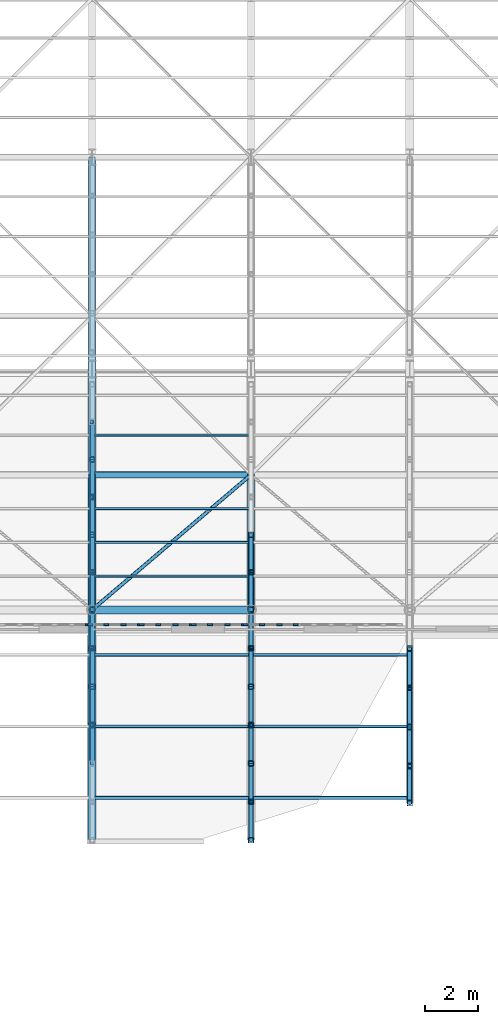
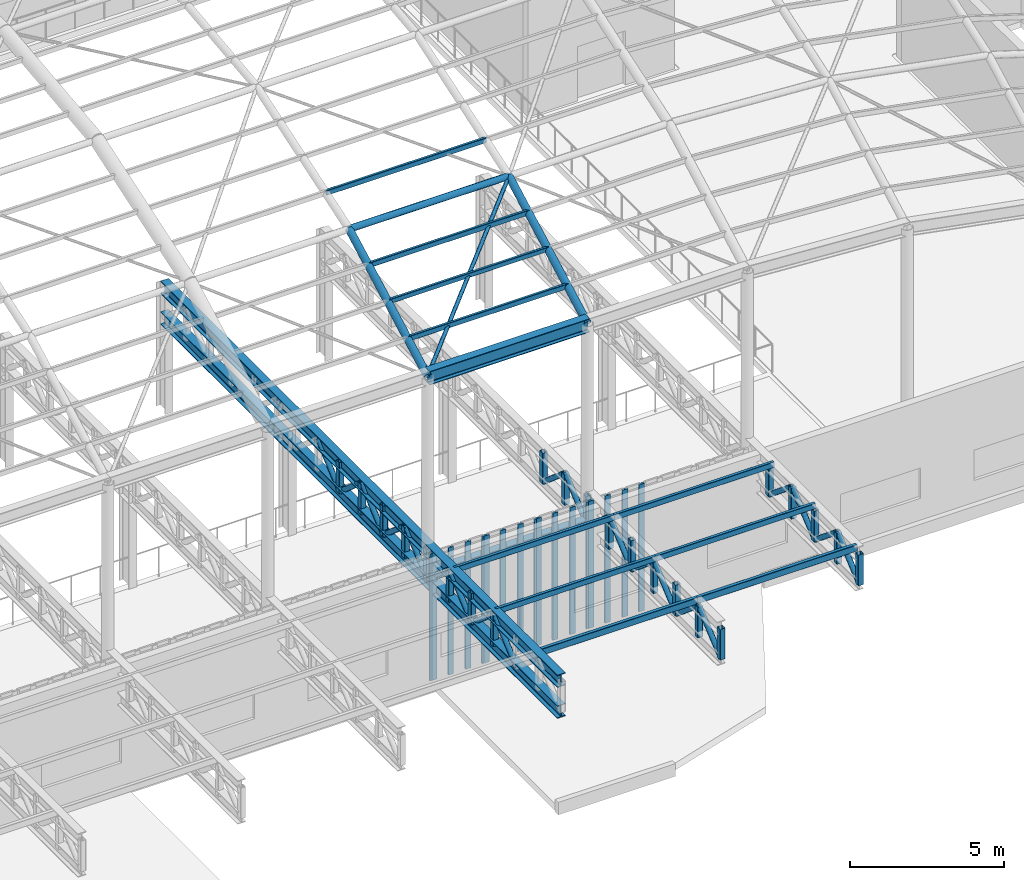
# One storey, part 26 of 75: 76 members, 2 beams, 5 elements without a shape of their own.
"""IFC4 building model written with IfcOpenShell, lengths in metres."""

import ifcopenshell
import ifcopenshell.guid

model = None  # the IFC model being written
_history = None  # IfcOwnerHistory: only IFC2X3 demands one
_inside = {}  # id of a spatial element -> (the spatial element, [elements in it])
_under = {}  # id of a project, library or spatial element -> (it, [spatial elements below it])
_declared = {}  # id of a project -> (the project, [libraries it declares])
_typed = {}  # id of a type object -> (the type object, [elements of that type])
_made_of = {}  # id of a material, layer set ... -> (it, [elements and type objects made of it])


def new_model(schema):
    """Start an empty IFC model of exactly this schema.

    Asked for "IFC4X3", IfcOpenShell would pick the latest addendum, in which some entities
    have other attributes; the version numbers below select the first issue.
    IFC2X3 requires an IfcOwnerHistory on every rooted entity: one is made here for all.
    """
    global model, _history
    if schema == "IFC4X3":
        model = ifcopenshell.file(schema_version=(4, 3, 0, 0))
    else:
        model = ifcopenshell.file(schema=schema)
    _inside.clear()
    _under.clear()
    _declared.clear()
    _typed.clear()
    _made_of.clear()
    _history = None
    if model.schema == "IFC2X3":
        org = make("IfcOrganization", Name="unknown")
        user = make(
            "IfcPersonAndOrganization",
            ThePerson=make("IfcPerson", FamilyName="unknown"),
            TheOrganization=org,
        )
        app = make(
            "IfcApplication",
            ApplicationDeveloper=org,
            Version="unknown",
            ApplicationFullName="unknown",
            ApplicationIdentifier="unknown",
        )
        _history = make(
            "IfcOwnerHistory",
            OwningUser=user,
            OwningApplication=app,
            ChangeAction="ADDED",
            CreationDate=0,
        )
    return model


def make(cls, **values):
    """One entity of the class cls with the attributes given. An attribute that is None is left unset."""
    return model.create_entity(
        cls, **{name: value for name, value in values.items() if value is not None}
    )


def rooted(cls, **values):
    """An entity with a GlobalId (a new one), such as an element, a storey or a relation."""
    return make(cls, GlobalId=ifcopenshell.guid.new(), OwnerHistory=_history, **values)


def si_unit(unit_type, name, prefix=None):
    """IfcSIUnit, for example si_unit("LENGTHUNIT", "METRE", prefix="MILLI")."""
    return make("IfcSIUnit", UnitType=unit_type, Prefix=prefix, Name=name)


def assignment(units):
    """IfcUnitAssignment: the units of a project."""
    return None if units is None else make("IfcUnitAssignment", Units=units)


def point(xyz):
    """IfcCartesianPoint."""
    return None if xyz is None else make("IfcCartesianPoint", Coordinates=xyz)


def direction(xyz):
    """IfcDirection."""
    return None if xyz is None else make("IfcDirection", DirectionRatios=xyz)


def frame(location, z_axis=None, x_axis=None):
    """IfcAxis2Placement3D, a coordinate frame: its origin and axes. An axis left out is left unset."""
    return make(
        "IfcAxis2Placement3D",
        Location=point(location),
        Axis=direction(z_axis),
        RefDirection=direction(x_axis),
    )


def frame_2d(location, x_axis=None):
    """IfcAxis2Placement2D, a coordinate frame in the plane: its origin and x axis."""
    return make(
        "IfcAxis2Placement2D", Location=point(location), RefDirection=direction(x_axis)
    )


def origin():
    """The frame at (0, 0, 0) with its axes left unset."""
    return frame((0.0, 0.0, 0.0))


def origin_2d():
    """The frame at (0, 0) in the plane with its x axis left unset."""
    return frame_2d((0.0, 0.0))


def place(relative_to, where):
    """IfcLocalPlacement: puts the frame where relative to a parent placement (None: the world)."""
    return make(
        "IfcLocalPlacement", PlacementRelTo=relative_to, RelativePlacement=where
    )


def context(
    kind, dimensions, precision=None, world=None, true_north=None, identifier=None
):
    """IfcGeometricRepresentationContext, for example the 3D "Model" context."""
    return make(
        "IfcGeometricRepresentationContext",
        ContextIdentifier=identifier,
        ContextType=kind,
        CoordinateSpaceDimension=dimensions,
        Precision=precision,
        WorldCoordinateSystem=world,
        TrueNorth=true_north,
    )


def subcontext(parent, identifier, kind, view, scale=None):
    """IfcGeometricRepresentationSubContext, for example "Body" below "Model"."""
    return make(
        "IfcGeometricRepresentationSubContext",
        ContextIdentifier=identifier,
        ContextType=kind,
        ParentContext=parent,
        TargetScale=scale,
        TargetView=view,
    )


def project(units=None, contexts=None):
    """IfcProject with its units and contexts."""
    return rooted(
        "IfcProject",
        Name="project",
        RepresentationContexts=contexts,
        UnitsInContext=assignment(units),
    )


def spatial(cls, under=None, at=None, **own):
    """A site, building, storey or space (cls), placed at a placement, below another one or the project."""
    s = rooted(cls, ObjectPlacement=at, **own)
    if under is not None:
        _under.setdefault(under.id(), (under, []))[1].append(s)
    return s


def profile(cls, at=None, kind="AREA", **sizes):
    """A parametric profile (cls). Its sizes go by their IFC names, for example OverallWidth=200.0."""
    return make(cls, ProfileType=kind, Position=at, **sizes)


def rectangle(**sizes):
    """IfcRectangleProfileDef."""
    return profile("IfcRectangleProfileDef", **sizes)


def hollow_rectangle(**sizes):
    """IfcRectangleHollowProfileDef."""
    return profile("IfcRectangleHollowProfileDef", **sizes)


def hollow_circle(**sizes):
    """IfcCircleHollowProfileDef."""
    return profile("IfcCircleHollowProfileDef", **sizes)


def i_section(**sizes):
    """IfcIShapeProfileDef."""
    return profile("IfcIShapeProfileDef", **sizes)


def extrude(swept, where, along, depth):
    """IfcExtrudedAreaSolid: the profile swept, set in the frame where, extruded along a direction by depth."""
    return make(
        "IfcExtrudedAreaSolid",
        SweptArea=swept,
        Position=where,
        ExtrudedDirection=direction(along),
        Depth=depth,
    )


def shape(context_of_items, identifier, shape_type, items):
    """IfcShapeRepresentation: the items that make up one representation, for example the "Body"."""
    return make(
        "IfcShapeRepresentation",
        ContextOfItems=context_of_items,
        RepresentationIdentifier=identifier,
        RepresentationType=shape_type,
        Items=items,
    )


def material(Name=None, Category=None):
    """IfcMaterial."""
    return make("IfcMaterial", Name=Name, Category=Category)


def material_profile(
    of_material, cross_section, Name=None, Category=None, Priority=None
):
    """IfcMaterialProfile: a cross section and its material."""
    return make(
        "IfcMaterialProfile",
        Name=Name,
        Material=of_material,
        Profile=cross_section,
        Priority=Priority,
        Category=Category,
    )


def profile_set(profiles, Name=None, composite=None):
    """IfcMaterialProfileSet."""
    return make(
        "IfcMaterialProfileSet",
        Name=Name,
        MaterialProfiles=profiles,
        CompositeProfile=composite,
    )


def made_of(thing, what):
    """Note that an element or type object is made of a material, layer set ...; save() writes the relation."""
    if what is not None:
        _made_of.setdefault(what.id(), (what, []))[1].append(thing)
    return thing


def type_object(cls, material=None, **own):
    """A type object (cls), such as IfcWallType, which elements share."""
    return made_of(rooted(cls, **own), material)


def element(
    cls,
    number,
    at=None,
    inside=None,
    cuts=None,
    type_object=None,
    material=None,
    context=None,
    identifier="Body",
    shape_type=None,
    held_by="IfcProductDefinitionShape",
    body=None,
    shapes=None,
    **own,
):
    """One element of the class cls, such as IfcWall. Its Tag is "e" and its number.

    at: its placement. inside: the storey or other place that contains it. cuts: it is an
    opening in that element (IfcRelVoidsElement). A single representation is given by context,
    identifier, shape_type and body (its items); several are given by shapes. held_by: the class
    of the entity that holds the representations. save() writes the other relations.
    """
    e = rooted(cls, Tag="e%d" % number, ObjectPlacement=at, **own)
    if body is not None:
        shapes = [shape(context, identifier, shape_type, body)]
    if shapes is not None:
        e.Representation = make(held_by, Representations=shapes)
    if inside is not None:
        _inside.setdefault(inside.id(), (inside, []))[1].append(e)
    if cuts is not None:
        rooted(
            "IfcRelVoidsElement", RelatingBuildingElement=cuts, RelatedOpeningElement=e
        )
    if type_object is not None:
        _typed.setdefault(type_object.id(), (type_object, []))[1].append(e)
    return made_of(e, material)


def aggregate(whole, parts):
    """IfcRelAggregates: a whole, such as a stair, and the parts it consists of."""
    return rooted("IfcRelAggregates", RelatingObject=whole, RelatedObjects=parts)


def save(model, path):
    """Write the relations noted so far, then the file.

    IfcRelAggregates (storeys below a building ...), IfcRelContainedInSpatialStructure (elements
    in a storey), IfcRelDefinesByType, IfcRelAssociatesMaterial and IfcRelDeclares: one each for
    every whole, place, type object, material and project.
    """
    for whole, parts in _under.values():
        aggregate(whole, parts)
    for where, things in _inside.values():
        rooted(
            "IfcRelContainedInSpatialStructure",
            RelatedElements=things,
            RelatingStructure=where,
        )
    for kind, things in _typed.values():
        rooted("IfcRelDefinesByType", RelatedObjects=things, RelatingType=kind)
    for what, things in _made_of.values():
        rooted("IfcRelAssociatesMaterial", RelatedObjects=things, RelatingMaterial=what)
    for by, libraries in _declared.values():
        rooted("IfcRelDeclares", RelatingContext=by, RelatedDefinitions=libraries)
    model.write(path)


model = new_model("IFC4")

# Units and contexts
model_context = context("Model", 3, precision=1e-05, world=origin(), true_north=direction((0.0, 1.0)))
body_context = subcontext(model_context, "Body", "Model", "MODEL_VIEW")
ifc_project = project(units=[si_unit("LENGTHUNIT", "METRE"), si_unit("AREAUNIT", "SQUARE_METRE"), si_unit("VOLUMEUNIT", "CUBIC_METRE"), si_unit("PLANEANGLEUNIT", "RADIAN"), si_unit("MASSUNIT", "GRAM", prefix="KILO")], contexts=[model_context])

# Site, building, storey
site_placement = place(None, origin())
site = spatial("IfcSite", under=ifc_project, at=site_placement, CompositionType="ELEMENT")
building_placement = place(site_placement, origin())
building = spatial("IfcBuilding", under=site, at=building_placement, Name="Kolvaren Corner Interchange", CompositionType="ELEMENT")
storey_placement = place(building_placement, frame((0.0, 0.0, 10.5)))
storey = spatial("IfcBuildingStorey", under=building, at=storey_placement, Name="L03", CompositionType="ELEMENT", Elevation=10.5)

# Beams
ifc_material_1 = material(Name="Steel S355", Category="steel")
ifc_material_profile_1 = material_profile(ifc_material_1, i_section(OverallWidth=0.300048828125, OverallDepth=0.35009765625, WebThickness=0.010009765625, FlangeThickness=0.017578125, FilletRadius=0.027099609375, at=origin_2d()), Name="HEA 360")
ifc_profile_set_1 = profile_set([ifc_material_profile_1], Name="Steel S355")
beam_type_1 = type_object("IfcBeamType", Name="BM-HEA360", PredefinedType="BEAM", material=ifc_profile_set_1)
beam_1_placement = place(storey_placement, frame((96.0, 24.89990234375, 3.77490234375), z_axis=(1.0, 0.0, 0.0), x_axis=(0.0, 1.0, 0.0)))
element("IfcBeam", 1, at=beam_1_placement, inside=storey, type_object=beam_type_1, Name="Storey L03 Grid X Primary Girder 0837", PredefinedType="BEAM", context=body_context, shape_type="SweptSolid", body=[
    extrude(i_section(OverallWidth=0.300048828125, OverallDepth=0.35009765625, WebThickness=0.010009765625, FlangeThickness=0.017578125, FilletRadius=0.027099609375, at=origin_2d()), origin(), (0.0, 0.0, 1.0), 6.0),
])
ifc_material_2 = material(Name="Steel S355", Category="steel")
ifc_material_profile_2 = material_profile(ifc_material_2, i_section(OverallWidth=0.300048828125, OverallDepth=0.5400390625, WebThickness=0.012451171875, FlangeThickness=0.02392578125, FilletRadius=0.027099609375, at=origin_2d()), Name="HEA 550")
ifc_profile_set_2 = profile_set([ifc_material_profile_2], Name="Steel S355")
beam_type_2 = type_object("IfcBeamType", Name="BM-HEA550", PredefinedType="BEAM", material=ifc_profile_set_2)
beam_2_placement = place(storey_placement, frame((96.0, 24.89990234375, 11.6650390625), z_axis=(1.0, 0.0, 0.0), x_axis=(0.0, 1.0, 0.0)))
element("IfcBeam", 2, at=beam_2_placement, inside=storey, type_object=beam_type_2, Name="Concourse Translational Gridshell Eaves Ring Beam 009", PredefinedType="BEAM", context=body_context, shape_type="SweptSolid", body=[
    extrude(i_section(OverallWidth=0.300048828125, OverallDepth=0.5400390625, WebThickness=0.012451171875, FlangeThickness=0.02392578125, FilletRadius=0.027099609375, at=origin_2d()), origin(), (0.0, 0.0, 1.0), 6.0),
])

# Members
ifc_material_3 = material(Name="Steel S355", Category="steel")
ifc_material_profile_3 = material_profile(ifc_material_3, hollow_circle(Radius=0.06982421875, WallThickness=0.008056640625, at=origin_2d()), Name="CHS 139.7x8.0")
ifc_profile_set_3 = profile_set([ifc_material_profile_3], Name="Steel S355")
member_type_1 = type_object("IfcMemberType", Name="MEM-BR-CHS140", PredefinedType="BRACE", material=ifc_profile_set_3)
member_1_placement = place(storey_placement, frame((96.0, 24.89990234375, 11.6650390625), z_axis=(0.719387446525, 0.611491038326, 0.329485070723), x_axis=(-0.647655619635, 0.761933198092, 0.0)))
element("IfcMember", 3, at=member_1_placement, inside=storey, type_object=member_type_1, Name="Concourse Translational Gridshell Nodal Diagonal Brace 0065", PredefinedType="BRACE", context=body_context, shape_type="SweptSolid", body=[
    extrude(hollow_circle(Radius=0.06982421875, WallThickness=0.008056640625, at=origin_2d()), origin(), (0.0, 0.0, 1.0), 8.34033203125),
])
ifc_material_4 = material(Name="Steel S355", Category="steel")
ifc_material_profile_4 = material_profile(ifc_material_4, hollow_circle(Radius=0.096923828125, WallThickness=0.010009765625, at=origin_2d()), Name="CHS 193.7x10.0")
ifc_profile_set_4 = profile_set([ifc_material_profile_4], Name="Steel S355")
member_type_2 = type_object("IfcMemberType", Name="MEM-BR-CHS194", PredefinedType="BRACE", material=ifc_profile_set_4)
for number, where, z_axis, x_axis, name in (
    (4, (96.0, 19.10009765625, 3.64990234375), (0.0, 0.765118287979, 0.643889746307), (-1.0, 0.0, 0.0), "South Portal Cantilever Roof Truss TOP Line 5 Diagonal 03"),
    (5, (96.0, 20.550048828125, 4.8701171875), (0.0, 0.765118287979, -0.643889746307), (-1.0, 0.0, 0.0), "South Portal Cantilever Roof Truss TOP Line 5 Diagonal 04"),
    (6, (96.0, 22.0, 3.64990234375), (0.0, 0.765118287979, 0.643889746307), (-1.0, 0.0, 0.0), "South Portal Cantilever Roof Truss TOP Line 5 Diagonal 05"),
    (7, (96.0, 23.449951171875, 4.8701171875), (0.0, 0.765118287979, -0.643889746307), (-1.0, 0.0, 0.0), "South Portal Cantilever Roof Truss TOP Line 5 Diagonal 06"),
):
    element("IfcMember", number, at=place(storey_placement, frame(where, z_axis=z_axis, x_axis=x_axis)), inside=storey, type_object=member_type_2, Name=name, PredefinedType="BRACE", context=body_context, shape_type="SweptSolid", body=[
        extrude(hollow_circle(Radius=0.096923828125, WallThickness=0.010009765625, at=origin_2d()), origin(), (0.0, 0.0, 1.0), 1.89501953125),
    ])
member_2_placement = place(storey_placement, frame((96.0, 24.89990234375, 3.64990234375), z_axis=(0.0, 0.758482926199, 0.651692911319), x_axis=(-1.0, 0.0, 0.0)))
element("IfcMember", 8, at=member_2_placement, inside=storey, type_object=member_type_2, Name="South Portal Cantilever Roof Truss TOP Line 5 Diagonal 07", PredefinedType="BRACE", context=body_context, shape_type="SweptSolid", body=[
    extrude(hollow_circle(Radius=0.096923828125, WallThickness=0.010009765625, at=origin_2d()), origin(), (0.0, 0.0, 1.0), 1.872314453125),
])
for number, where, z_axis, x_axis, name in (
    (9, (96.0, 26.320068359375, 4.8701171875), (0.0, 0.758427540561, -0.651757367215), (-1.0, 0.0, 0.0), "South Portal Cantilever Roof Truss TOP Line 5 Diagonal 08"),
    (10, (96.0, 27.739990234375, 3.64990234375), (0.0, 0.758427540561, 0.651757367215), (-1.0, 0.0, 0.0), "South Portal Cantilever Roof Truss TOP Line 5 Diagonal 09"),
):
    element("IfcMember", number, at=place(storey_placement, frame(where, z_axis=z_axis, x_axis=x_axis)), inside=storey, type_object=member_type_2, Name=name, PredefinedType="BRACE", context=body_context, shape_type="SweptSolid", body=[
        extrude(hollow_circle(Radius=0.096923828125, WallThickness=0.010009765625, at=origin_2d()), origin(), (0.0, 0.0, 1.0), 1.8720703125),
    ])
member_3_placement = place(storey_placement, frame((96.0, 29.159912109375, 4.8701171875), z_axis=(0.0, 0.758482926199, -0.651692911319), x_axis=(-1.0, 0.0, 0.0)))
element("IfcMember", 11, at=member_3_placement, inside=storey, type_object=member_type_2, Name="South Portal Cantilever Roof Truss TOP Line 5 Diagonal 10", PredefinedType="BRACE", context=body_context, shape_type="SweptSolid", body=[
    extrude(hollow_circle(Radius=0.096923828125, WallThickness=0.010009765625, at=origin_2d()), origin(), (0.0, 0.0, 1.0), 1.872314453125),
])
member_4_placement = place(storey_placement, frame((96.0, 30.580078125, 3.64990234375), z_axis=(0.0, 0.758427540561, 0.651757367215), x_axis=(-1.0, 0.0, 0.0)))
element("IfcMember", 12, at=member_4_placement, inside=storey, type_object=member_type_2, Name="South Portal Cantilever Roof Truss TOP Line 5 Diagonal 11", PredefinedType="BRACE", context=body_context, shape_type="SweptSolid", body=[
    extrude(hollow_circle(Radius=0.096923828125, WallThickness=0.010009765625, at=origin_2d()), origin(), (0.0, 0.0, 1.0), 1.8720703125),
])
member_5_placement = place(storey_placement, frame((102.0, 16.199951171875, 3.64990234375), z_axis=(0.0, 0.765118287979, 0.643889746307), x_axis=(-1.0, 0.0, 0.0)))
element("IfcMember", 13, at=member_5_placement, inside=storey, type_object=member_type_2, Name="South Portal Cantilever Roof Truss TOP Line 6 Diagonal 01", PredefinedType="BRACE", context=body_context, shape_type="SweptSolid", body=[
    extrude(hollow_circle(Radius=0.096923828125, WallThickness=0.010009765625, at=origin_2d()), origin(), (0.0, 0.0, 1.0), 1.89501953125),
])
member_6_placement = place(storey_placement, frame((102.0, 17.64990234375, 4.8701171875), z_axis=(0.0, 0.765171692013, -0.64382628227), x_axis=(-1.0, 0.0, 0.0)))
element("IfcMember", 14, at=member_6_placement, inside=storey, type_object=member_type_2, Name="South Portal Cantilever Roof Truss TOP Line 6 Diagonal 02", PredefinedType="BRACE", context=body_context, shape_type="SweptSolid", body=[
    extrude(hollow_circle(Radius=0.096923828125, WallThickness=0.010009765625, at=origin_2d()), origin(), (0.0, 0.0, 1.0), 1.895263671875),
])
for number, where, z_axis, x_axis, name in (
    (15, (102.0, 19.10009765625, 3.64990234375), (0.0, 0.765118287979, 0.643889746307), (-1.0, 0.0, 0.0), "South Portal Cantilever Roof Truss TOP Line 6 Diagonal 03"),
    (16, (102.0, 20.550048828125, 4.8701171875), (0.0, 0.765118287979, -0.643889746307), (-1.0, 0.0, 0.0), "South Portal Cantilever Roof Truss TOP Line 6 Diagonal 04"),
    (17, (102.0, 22.0, 3.64990234375), (0.0, 0.765118287979, 0.643889746307), (-1.0, 0.0, 0.0), "South Portal Cantilever Roof Truss TOP Line 6 Diagonal 05"),
    (18, (102.0, 23.449951171875, 4.8701171875), (0.0, 0.765118287979, -0.643889746307), (-1.0, 0.0, 0.0), "South Portal Cantilever Roof Truss TOP Line 6 Diagonal 06"),
):
    element("IfcMember", number, at=place(storey_placement, frame(where, z_axis=z_axis, x_axis=x_axis)), inside=storey, type_object=member_type_2, Name=name, PredefinedType="BRACE", context=body_context, shape_type="SweptSolid", body=[
        extrude(hollow_circle(Radius=0.096923828125, WallThickness=0.010009765625, at=origin_2d()), origin(), (0.0, 0.0, 1.0), 1.89501953125),
    ])
member_7_placement = place(storey_placement, frame((102.0, 24.89990234375, 3.64990234375), z_axis=(0.0, 0.758482926199, 0.651692911319), x_axis=(-1.0, 0.0, 0.0)))
element("IfcMember", 19, at=member_7_placement, inside=storey, type_object=member_type_2, Name="South Portal Cantilever Roof Truss TOP Line 6 Diagonal 07", PredefinedType="BRACE", context=body_context, shape_type="SweptSolid", body=[
    extrude(hollow_circle(Radius=0.096923828125, WallThickness=0.010009765625, at=origin_2d()), origin(), (0.0, 0.0, 1.0), 1.872314453125),
])
member_8_placement = place(storey_placement, frame((102.0, 26.320068359375, 4.8701171875), z_axis=(0.0, 0.758427540561, -0.651757367215), x_axis=(-1.0, 0.0, 0.0)))
element("IfcMember", 20, at=member_8_placement, inside=storey, type_object=member_type_2, Name="South Portal Cantilever Roof Truss TOP Line 6 Diagonal 08", PredefinedType="BRACE", context=body_context, shape_type="SweptSolid", body=[
    extrude(hollow_circle(Radius=0.096923828125, WallThickness=0.010009765625, at=origin_2d()), origin(), (0.0, 0.0, 1.0), 1.8720703125),
])
member_9_placement = place(storey_placement, frame((108.0, 17.60009765625, 3.64990234375), z_axis=(0.0, 0.75382949788, 0.65707007855), x_axis=(-1.0, 0.0, 0.0)))
element("IfcMember", 21, at=member_9_placement, inside=storey, type_object=member_type_2, Name="South Portal Cantilever Roof Truss TOP Line 7 Diagonal 01", PredefinedType="BRACE", context=body_context, shape_type="SweptSolid", body=[
    extrude(hollow_circle(Radius=0.096923828125, WallThickness=0.010009765625, at=origin_2d()), origin(), (0.0, 0.0, 1.0), 1.85693359375),
])
for number, where, z_axis, x_axis, name in (
    (22, (108.0, 19.0, 4.8701171875), (0.0, 0.771570054348, -0.636144363516), (-1.0, 0.0, 0.0), "South Portal Cantilever Roof Truss TOP Line 7 Diagonal 02"),
    (23, (108.0, 20.47998046875, 3.64990234375), (0.0, 0.771570054348, 0.636144363516), (-1.0, 0.0, 0.0), "South Portal Cantilever Roof Truss TOP Line 7 Diagonal 03"),
    (24, (108.0, 21.9599609375, 4.8701171875), (0.0, 0.771570054348, -0.636144363516), (-1.0, 0.0, 0.0), "South Portal Cantilever Roof Truss TOP Line 7 Diagonal 04"),
):
    element("IfcMember", number, at=place(storey_placement, frame(where, z_axis=z_axis, x_axis=x_axis)), inside=storey, type_object=member_type_2, Name=name, PredefinedType="BRACE", context=body_context, shape_type="SweptSolid", body=[
        extrude(hollow_circle(Radius=0.096923828125, WallThickness=0.010009765625, at=origin_2d()), origin(), (0.0, 0.0, 1.0), 1.918212890625),
    ])
ifc_material_5 = material(Name="Steel S355", Category="steel")
ifc_material_profile_5 = material_profile(ifc_material_5, hollow_circle(Radius=0.122314453125, WallThickness=0.012451171875, at=origin_2d()), Name="CHS 244.5x12.5")
ifc_profile_set_5 = profile_set([ifc_material_profile_5], Name="Steel S355")
member_type_3 = type_object("IfcMemberType", Name="MEM-CH-CHS245", PredefinedType="CHORD", material=ifc_profile_set_5)
member_10_placement = place(storey_placement, frame((96.0, 30.0, 14.4130859375), z_axis=(1.0, 0.0, 0.0), x_axis=(0.0, 1.0, 0.0)))
element("IfcMember", 25, at=member_10_placement, inside=storey, type_object=member_type_3, Name="Concourse Translational Gridshell Longitudinal Arch Chord 0113", PredefinedType="CHORD", context=body_context, shape_type="SweptSolid", body=[
    extrude(hollow_circle(Radius=0.122314453125, WallThickness=0.012451171875, at=origin_2d()), origin(), (0.0, 0.0, 1.0), 6.0),
])
ifc_material_6 = material(Name="Steel S355", Category="steel")
ifc_material_profile_6 = material_profile(ifc_material_6, hollow_circle(Radius=0.136474609375, WallThickness=0.012451171875, at=origin_2d()), Name="CHS 273.0x12.5")
ifc_profile_set_6 = profile_set([ifc_material_profile_6], Name="Steel S355")
member_type_4 = type_object("IfcMemberType", Name="MEM-CH-CHS273", PredefinedType="CHORD", material=ifc_profile_set_6)
for number, where, z_axis, x_axis, name in (
    (26, (96.0, 24.89990234375, 11.6650390625), (0.0, 0.880338454691, 0.474346081666), (-1.0, 0.0, 0.0), "Concourse Translational Gridshell Transverse Arch Chord 0057"),
    (27, (102.0, 24.89990234375, 11.6650390625), (0.0, 0.880338454691, 0.474346081666), (-1.0, 0.0, 0.0), "Concourse Translational Gridshell Transverse Arch Chord 0065"),
):
    element("IfcMember", number, at=place(storey_placement, frame(where, z_axis=z_axis, x_axis=x_axis)), inside=storey, type_object=member_type_4, Name=name, PredefinedType="CHORD", context=body_context, shape_type="SweptSolid", body=[
        extrude(hollow_circle(Radius=0.136474609375, WallThickness=0.012451171875, at=origin_2d()), origin(), (0.0, 0.0, 1.0), 5.79345703125),
    ])
ifc_material_7 = material(Name="Steel S355", Category="steel")
ifc_material_profile_7 = material_profile(ifc_material_7, i_section(OverallWidth=0.300048828125, OverallDepth=0.5, WebThickness=0.014404296875, FlangeThickness=0.028076171875, FilletRadius=0.027099609375, at=origin_2d()), Name="HEB 500")
ifc_profile_set_7 = profile_set([ifc_material_profile_7], Name="Steel S355")
member_type_5 = type_object("IfcMemberType", Name="MEM-CH-HEB500", PredefinedType="CHORD", material=ifc_profile_set_7)
for number, where, z_axis, x_axis, name in (
    (28, (96.0, 16.199951171875, 4.8701171875), (0.0, 1.0, 0.0), (-1.0, 0.0, 0.0), "South Portal Cantilever Roof Truss TOP Line 5 Top Chord"),
    (29, (96.0, 16.199951171875, 3.64990234375), (0.0, 1.0, 0.0), (-1.0, 0.0, 0.0), "South Portal Cantilever Roof Truss TOP Line 5 Bottom Chord"),
):
    element("IfcMember", number, at=place(storey_placement, frame(where, z_axis=z_axis, x_axis=x_axis)), inside=storey, type_object=member_type_5, Name=name, PredefinedType="CHORD", context=body_context, shape_type="SweptSolid", body=[
        extrude(i_section(OverallWidth=0.300048828125, OverallDepth=0.5, WebThickness=0.014404296875, FlangeThickness=0.028076171875, FilletRadius=0.027099609375, at=origin_2d()), origin(), (0.0, 0.0, 1.0), 25.800048828125),
    ])
ifc_material_8 = material(Name="Steel S355", Category="steel")
ifc_material_profile_8 = material_profile(ifc_material_8, hollow_rectangle(XDim=0.10009765625, YDim=0.179931640625, WallThickness=0.008056640625, InnerFilletRadius=0.008056640625, OuterFilletRadius=0.01611328125, at=origin_2d()), Name="RHS 180x100x8.0")
ifc_profile_set_8 = profile_set([ifc_material_profile_8], Name="Steel S355")
member_type_6 = type_object("IfcMemberType", Name="MEM-PR-RHS180", PredefinedType="PURLIN", material=ifc_profile_set_8)
member_11_placement = place(storey_placement, frame((96.0, 27.449951171875, 13.0869140625), z_axis=(1.0, 0.0, 0.0), x_axis=(0.0, 1.0, 0.0)))
element("IfcMember", 30, at=member_11_placement, inside=storey, type_object=member_type_6, Name="Concourse Translational Gridshell Glazing Purlin 0065 Row 2", PredefinedType="PURLIN", context=body_context, shape_type="SweptSolid", body=[
    extrude(hollow_rectangle(XDim=0.10009765625, YDim=0.179931640625, WallThickness=0.008056640625, InnerFilletRadius=0.008056640625, OuterFilletRadius=0.01611328125, at=origin_2d()), origin(), (0.0, 0.0, 1.0), 6.0),
])
ifc_material_9 = material(Name="Steel S355", Category="steel")
ifc_material_profile_9 = material_profile(ifc_material_9, hollow_rectangle(XDim=0.10009765625, YDim=0.199951171875, WallThickness=0.008056640625, InnerFilletRadius=0.008056640625, OuterFilletRadius=0.01611328125, at=origin_2d()), Name="RHS 200x100x8.0")
ifc_profile_set_9 = profile_set([ifc_material_profile_9], Name="Steel S355")
member_type_7 = type_object("IfcMemberType", Name="MEM-PR-RHS200", PredefinedType="PURLIN", material=ifc_profile_set_9)
for number, where, z_axis, x_axis, name in (
    (31, (96.0, 26.175048828125, 12.389892578125), (1.0, 0.0, 0.0), (0.0, 1.0, 0.0), "Concourse Translational Gridshell Glazing Purlin 0065 Row 1"),
    (32, (96.0, 28.72509765625, 13.763916015625), (1.0, 0.0, 0.0), (0.0, 1.0, 0.0), "Concourse Translational Gridshell Glazing Purlin 0065 Row 3"),
    (33, (96.0, 31.5, 14.950927734375), (1.0, 0.0, 0.0), (0.0, 1.0, 0.0), "Concourse Translational Gridshell Glazing Purlin 0066 Row 1"),
):
    element("IfcMember", number, at=place(storey_placement, frame(where, z_axis=z_axis, x_axis=x_axis)), inside=storey, type_object=member_type_7, Name=name, PredefinedType="PURLIN", context=body_context, shape_type="SweptSolid", body=[
        extrude(hollow_rectangle(XDim=0.10009765625, YDim=0.199951171875, WallThickness=0.008056640625, InnerFilletRadius=0.008056640625, OuterFilletRadius=0.01611328125, at=origin_2d()), origin(), (0.0, 0.0, 1.0), 6.0),
    ])
ifc_material_10 = material(Name="Steel S355", Category="steel")
ifc_material_profile_10 = material_profile(ifc_material_10, hollow_rectangle(XDim=0.1201171875, YDim=0.219970703125, WallThickness=0.008056640625, InnerFilletRadius=0.008056640625, OuterFilletRadius=0.01611328125, at=origin_2d()), Name="RHS 220x120x8.0")
ifc_profile_set_10 = profile_set([ifc_material_profile_10], Name="Steel S355")
member_type_8 = type_object("IfcMemberType", Name="MEM-PR-RHS220", PredefinedType="PURLIN", material=ifc_profile_set_10)
for number, where, z_axis, x_axis, name in (
    (34, (96.0, 20.5, 5.010009765625), (1.0, 0.0, 0.0), (0.0, 1.0, 0.0), "South Portal Cantilever Roof Truss TOP Purlin 2 Bay 96"),
    (35, (102.0, 20.5, 5.010009765625), (1.0, 0.0, 0.0), (0.0, 1.0, 0.0), "South Portal Cantilever Roof Truss TOP Purlin 2 Bay 102"),
    (36, (96.0, 23.199951171875, 5.010009765625), (1.0, 0.0, 0.0), (0.0, 1.0, 0.0), "South Portal Cantilever Roof Truss TOP Purlin 3 Bay 96"),
    (37, (102.0, 23.199951171875, 5.010009765625), (1.0, 0.0, 0.0), (0.0, 1.0, 0.0), "South Portal Cantilever Roof Truss TOP Purlin 3 Bay 102"),
):
    element("IfcMember", number, at=place(storey_placement, frame(where, z_axis=z_axis, x_axis=x_axis)), inside=storey, type_object=member_type_8, Name=name, PredefinedType="PURLIN", context=body_context, shape_type="SweptSolid", body=[
        extrude(hollow_rectangle(XDim=0.1201171875, YDim=0.219970703125, WallThickness=0.008056640625, InnerFilletRadius=0.008056640625, OuterFilletRadius=0.01611328125, at=origin_2d()), origin(), (0.0, 0.0, 1.0), 6.0),
    ])
ifc_material_11 = material(Name="Steel S355", Category="steel")
ifc_material_profile_11 = material_profile(ifc_material_11, hollow_rectangle(XDim=0.139892578125, YDim=0.260009765625, WallThickness=0.010009765625, InnerFilletRadius=0.010009765625, OuterFilletRadius=0.02001953125, at=origin_2d()), Name="RHS 260x140x10.0")
ifc_profile_set_11 = profile_set([ifc_material_profile_11], Name="Steel S355")
member_type_9 = type_object("IfcMemberType", Name="MEM-PR-RHS260", PredefinedType="PURLIN", material=ifc_profile_set_11)
for number, where, z_axis, x_axis, name in (
    (38, (96.0, 17.800048828125, 4.989990234375), (1.0, 0.0, 0.0), (0.0, 1.0, 0.0), "South Portal Cantilever Roof Truss TOP Purlin 1 Bay 96"),
    (39, (102.0, 17.800048828125, 4.989990234375), (1.0, 0.0, 0.0), (0.0, 1.0, 0.0), "South Portal Cantilever Roof Truss TOP Purlin 1 Bay 102"),
):
    element("IfcMember", number, at=place(storey_placement, frame(where, z_axis=z_axis, x_axis=x_axis)), inside=storey, type_object=member_type_9, Name=name, PredefinedType="PURLIN", context=body_context, shape_type="SweptSolid", body=[
        extrude(hollow_rectangle(XDim=0.139892578125, YDim=0.260009765625, WallThickness=0.010009765625, InnerFilletRadius=0.010009765625, OuterFilletRadius=0.02001953125, at=origin_2d()), origin(), (0.0, 0.0, 1.0), 6.0),
    ])
ifc_material_12 = material(Name="Steel S355", Category="steel")
ifc_material_profile_12 = material_profile(ifc_material_12, hollow_rectangle(XDim=0.199951171875, YDim=0.199951171875, WallThickness=0.010009765625, InnerFilletRadius=0.010009765625, OuterFilletRadius=0.02001953125, at=origin_2d()), Name="SHS 200x200x10.0")
ifc_profile_set_12 = profile_set([ifc_material_profile_12], Name="Steel S355")
member_type_10 = type_object("IfcMemberType", Name="MEM-PT-SHS200", PredefinedType="POST", material=ifc_profile_set_12)
for number, where, z_axis, x_axis, name in (
    (40, (96.0, 20.550048828125, 3.64990234375), (0.0, 0.0, 1.0), (1.0, 0.0, 0.0), "South Portal Cantilever Roof Truss TOP Line 5 Web Post 04"),
    (41, (96.0, 22.0, 3.64990234375), (0.0, 0.0, 1.0), (1.0, 0.0, 0.0), "South Portal Cantilever Roof Truss TOP Line 5 Web Post 05"),
    (42, (96.0, 23.449951171875, 3.64990234375), (0.0, 0.0, 1.0), (1.0, 0.0, 0.0), "South Portal Cantilever Roof Truss TOP Line 5 Web Post 06"),
    (43, (96.0, 24.89990234375, 3.64990234375), (0.0, 0.0, 1.0), (1.0, 0.0, 0.0), "South Portal Cantilever Roof Truss TOP Line 5 Web Post 07"),
    (44, (96.0, 26.320068359375, 3.64990234375), (0.0, 0.0, 1.0), (1.0, 0.0, 0.0), "South Portal Cantilever Roof Truss TOP Line 5 Web Post 08"),
    (45, (96.0, 27.739990234375, 3.64990234375), (0.0, 0.0, 1.0), (1.0, 0.0, 0.0), "South Portal Cantilever Roof Truss TOP Line 5 Web Post 09"),
    (46, (96.0, 29.159912109375, 3.64990234375), (0.0, 0.0, 1.0), (1.0, 0.0, 0.0), "South Portal Cantilever Roof Truss TOP Line 5 Web Post 10"),
    (47, (96.0, 30.580078125, 3.64990234375), (0.0, 0.0, 1.0), (1.0, 0.0, 0.0), "South Portal Cantilever Roof Truss TOP Line 5 Web Post 11"),
    (48, (102.0, 16.199951171875, 3.64990234375), (0.0, 0.0, 1.0), (1.0, 0.0, 0.0), "South Portal Cantilever Roof Truss TOP Line 6 Web Post 01"),
    (49, (102.0, 17.64990234375, 3.64990234375), (0.0, 0.0, 1.0), (1.0, 0.0, 0.0), "South Portal Cantilever Roof Truss TOP Line 6 Web Post 02"),
    (50, (102.0, 19.10009765625, 3.64990234375), (0.0, 0.0, 1.0), (1.0, 0.0, 0.0), "South Portal Cantilever Roof Truss TOP Line 6 Web Post 03"),
    (51, (102.0, 20.550048828125, 3.64990234375), (0.0, 0.0, 1.0), (1.0, 0.0, 0.0), "South Portal Cantilever Roof Truss TOP Line 6 Web Post 04"),
    (52, (102.0, 22.0, 3.64990234375), (0.0, 0.0, 1.0), (1.0, 0.0, 0.0), "South Portal Cantilever Roof Truss TOP Line 6 Web Post 05"),
    (53, (102.0, 23.449951171875, 3.64990234375), (0.0, 0.0, 1.0), (1.0, 0.0, 0.0), "South Portal Cantilever Roof Truss TOP Line 6 Web Post 06"),
    (54, (102.0, 24.89990234375, 3.64990234375), (0.0, 0.0, 1.0), (1.0, 0.0, 0.0), "South Portal Cantilever Roof Truss TOP Line 6 Web Post 07"),
    (55, (102.0, 26.320068359375, 3.64990234375), (0.0, 0.0, 1.0), (1.0, 0.0, 0.0), "South Portal Cantilever Roof Truss TOP Line 6 Web Post 08"),
    (56, (102.0, 27.739990234375, 3.64990234375), (0.0, 0.0, 1.0), (1.0, 0.0, 0.0), "South Portal Cantilever Roof Truss TOP Line 6 Web Post 09"),
    (57, (108.0, 17.60009765625, 3.64990234375), (0.0, 0.0, 1.0), (1.0, 0.0, 0.0), "South Portal Cantilever Roof Truss TOP Line 7 Web Post 01"),
    (58, (108.0, 19.0, 3.64990234375), (0.0, 0.0, 1.0), (1.0, 0.0, 0.0), "South Portal Cantilever Roof Truss TOP Line 7 Web Post 02"),
    (59, (108.0, 20.47998046875, 3.64990234375), (0.0, 0.0, 1.0), (1.0, 0.0, 0.0), "South Portal Cantilever Roof Truss TOP Line 7 Web Post 03"),
    (60, (108.0, 21.9599609375, 3.64990234375), (0.0, 0.0, 1.0), (1.0, 0.0, 0.0), "South Portal Cantilever Roof Truss TOP Line 7 Web Post 04"),
    (61, (108.0, 23.43994140625, 3.64990234375), (0.0, 0.0, 1.0), (1.0, 0.0, 0.0), "South Portal Cantilever Roof Truss TOP Line 7 Web Post 05"),
):
    element("IfcMember", number, at=place(storey_placement, frame(where, z_axis=z_axis, x_axis=x_axis)), inside=storey, type_object=member_type_10, Name=name, PredefinedType="POST", context=body_context, shape_type="SweptSolid", body=[
        extrude(hollow_rectangle(XDim=0.199951171875, YDim=0.199951171875, WallThickness=0.010009765625, InnerFilletRadius=0.010009765625, OuterFilletRadius=0.02001953125, at=origin_2d()), origin(), (0.0, 0.0, 1.0), 1.22021484375),
    ])

# Curtain wall, member
ifc_material_13 = material(Name="Unitised Aluminium and Solar-Control Glass Curtain Wall", Category="aluminium")
curtain_wall_type = type_object("IfcCurtainWallType", Name="CW-V1-UPPER", PredefinedType="NOTDEFINED", material=ifc_material_13)
curtain_wall_1_placement = place(storey_placement, origin())
curtain_wall_1 = element("IfcCurtainWall", 62, at=curtain_wall_1_placement, inside=storey, type_object=curtain_wall_type, Name="South Portal Upper Curtain Wall Bay 12", PredefinedType="NOTDEFINED")
ifc_material_14 = material(Name="Anodised Aluminium Framing", Category="aluminium")
ifc_material_profile_13 = material_profile(ifc_material_14, rectangle(XDim=0.070068359375, YDim=0.199951171875, at=origin_2d()), Name="ALU 70x200")
ifc_profile_set_13 = profile_set([ifc_material_profile_13], Name="Anodised Aluminium Framing")
member_type_11 = type_object("IfcMemberType", Name="MUL-ALU70x200", PredefinedType="MULLION", material=ifc_profile_set_13)
member_12_placement = place(storey_placement, frame((95.848388671875, 24.340087890625, 0.0), z_axis=(0.0, 0.0, 1.0), x_axis=(0.0, 1.0, 0.0)))
member_12 = element("IfcMember", 63, at=member_12_placement, type_object=member_type_11, Name="CW-048 mullion 4", PredefinedType="MULLION", context=body_context, shape_type="SweptSolid", body=[
    extrude(rectangle(XDim=0.070068359375, YDim=0.199951171875, at=origin_2d()), origin(), (0.0, 0.0, 1.0), 5.050048828125),
])
aggregate(curtain_wall_1, [member_12])

# Curtain wall, members
curtain_wall_2_placement = place(storey_placement, origin())
curtain_wall_2 = element("IfcCurtainWall", 64, at=curtain_wall_2_placement, inside=storey, type_object=curtain_wall_type, Name="South Portal Upper Curtain Wall Bay 13", PredefinedType="NOTDEFINED")
member_13_placement = place(storey_placement, frame((95.918212890625, 24.340087890625, 0.0), z_axis=(0.0, 0.0, 1.0), x_axis=(0.0, 1.0, 0.0)))
member_13 = element("IfcMember", 65, at=member_13_placement, type_object=member_type_11, Name="CW-049 mullion 1", PredefinedType="MULLION", context=body_context, shape_type="SweptSolid", body=[
    extrude(rectangle(XDim=0.070068359375, YDim=0.199951171875, at=origin_2d()), origin(), (0.0, 0.0, 1.0), 5.050048828125),
])
member_14_placement = place(storey_placement, frame((96.537109375, 24.340087890625, 0.0), z_axis=(0.0, 0.0, 1.0), x_axis=(0.0, 1.0, 0.0)))
member_14 = element("IfcMember", 66, at=member_14_placement, type_object=member_type_11, Name="CW-049 mullion 2", PredefinedType="MULLION", context=body_context, shape_type="SweptSolid", body=[
    extrude(rectangle(XDim=0.070068359375, YDim=0.199951171875, at=origin_2d()), origin(), (0.0, 0.0, 1.0), 5.050048828125),
])
member_15_placement = place(storey_placement, frame((97.190673828125, 24.340087890625, 0.0), z_axis=(0.0, 0.0, 1.0), x_axis=(0.0, 1.0, 0.0)))
member_15 = element("IfcMember", 67, at=member_15_placement, type_object=member_type_11, Name="CW-049 mullion 3", PredefinedType="MULLION", context=body_context, shape_type="SweptSolid", body=[
    extrude(rectangle(XDim=0.070068359375, YDim=0.199951171875, at=origin_2d()), origin(), (0.0, 0.0, 1.0), 5.050048828125),
])
member_16_placement = place(storey_placement, frame((97.809326171875, 24.340087890625, 0.0), z_axis=(0.0, 0.0, 1.0), x_axis=(0.0, 1.0, 0.0)))
member_16 = element("IfcMember", 68, at=member_16_placement, type_object=member_type_11, Name="CW-049 mullion 4", PredefinedType="MULLION", context=body_context, shape_type="SweptSolid", body=[
    extrude(rectangle(XDim=0.070068359375, YDim=0.199951171875, at=origin_2d()), origin(), (0.0, 0.0, 1.0), 5.050048828125),
])
aggregate(curtain_wall_2, [member_13, member_14, member_15, member_16])

curtain_wall_3_placement = place(storey_placement, origin())
curtain_wall_3 = element("IfcCurtainWall", 69, at=curtain_wall_3_placement, inside=storey, type_object=curtain_wall_type, Name="South Portal Upper Curtain Wall Bay 14", PredefinedType="NOTDEFINED")
member_17_placement = place(storey_placement, frame((97.87939453125, 24.340087890625, 0.0), z_axis=(0.0, 0.0, 1.0), x_axis=(0.0, 1.0, 0.0)))
member_17 = element("IfcMember", 70, at=member_17_placement, type_object=member_type_11, Name="CW-050 mullion 1", PredefinedType="MULLION", context=body_context, shape_type="SweptSolid", body=[
    extrude(rectangle(XDim=0.070068359375, YDim=0.199951171875, at=origin_2d()), origin(), (0.0, 0.0, 1.0), 5.050048828125),
])
member_18_placement = place(storey_placement, frame((98.498046875, 24.340087890625, 0.0), z_axis=(0.0, 0.0, 1.0), x_axis=(0.0, 1.0, 0.0)))
member_18 = element("IfcMember", 71, at=member_18_placement, type_object=member_type_11, Name="CW-050 mullion 2", PredefinedType="MULLION", context=body_context, shape_type="SweptSolid", body=[
    extrude(rectangle(XDim=0.070068359375, YDim=0.199951171875, at=origin_2d()), origin(), (0.0, 0.0, 1.0), 5.050048828125),
])
member_19_placement = place(storey_placement, frame((99.15185546875, 24.340087890625, 0.0), z_axis=(0.0, 0.0, 1.0), x_axis=(0.0, 1.0, 0.0)))
member_19 = element("IfcMember", 72, at=member_19_placement, type_object=member_type_11, Name="CW-050 mullion 3", PredefinedType="MULLION", context=body_context, shape_type="SweptSolid", body=[
    extrude(rectangle(XDim=0.070068359375, YDim=0.199951171875, at=origin_2d()), origin(), (0.0, 0.0, 1.0), 5.050048828125),
])
member_20_placement = place(storey_placement, frame((99.7705078125, 24.340087890625, 0.0), z_axis=(0.0, 0.0, 1.0), x_axis=(0.0, 1.0, 0.0)))
member_20 = element("IfcMember", 73, at=member_20_placement, type_object=member_type_11, Name="CW-050 mullion 4", PredefinedType="MULLION", context=body_context, shape_type="SweptSolid", body=[
    extrude(rectangle(XDim=0.070068359375, YDim=0.199951171875, at=origin_2d()), origin(), (0.0, 0.0, 1.0), 5.050048828125),
])
aggregate(curtain_wall_3, [member_17, member_18, member_19, member_20])

curtain_wall_4_placement = place(storey_placement, origin())
curtain_wall_4 = element("IfcCurtainWall", 74, at=curtain_wall_4_placement, inside=storey, type_object=curtain_wall_type, Name="South Portal Upper Curtain Wall Bay 15", PredefinedType="NOTDEFINED")
member_21_placement = place(storey_placement, frame((99.840576171875, 24.340087890625, 0.0), z_axis=(0.0, 0.0, 1.0), x_axis=(0.0, 1.0, 0.0)))
member_21 = element("IfcMember", 75, at=member_21_placement, type_object=member_type_11, Name="CW-051 mullion 1", PredefinedType="MULLION", context=body_context, shape_type="SweptSolid", body=[
    extrude(rectangle(XDim=0.070068359375, YDim=0.199951171875, at=origin_2d()), origin(), (0.0, 0.0, 1.0), 5.050048828125),
])
member_22_placement = place(storey_placement, frame((100.459228515625, 24.340087890625, 0.0), z_axis=(0.0, 0.0, 1.0), x_axis=(0.0, 1.0, 0.0)))
member_22 = element("IfcMember", 76, at=member_22_placement, type_object=member_type_11, Name="CW-051 mullion 2", PredefinedType="MULLION", context=body_context, shape_type="SweptSolid", body=[
    extrude(rectangle(XDim=0.070068359375, YDim=0.199951171875, at=origin_2d()), origin(), (0.0, 0.0, 1.0), 5.050048828125),
])
member_23_placement = place(storey_placement, frame((101.113037109375, 24.340087890625, 0.0), z_axis=(0.0, 0.0, 1.0), x_axis=(0.0, 1.0, 0.0)))
member_23 = element("IfcMember", 77, at=member_23_placement, type_object=member_type_11, Name="CW-051 mullion 3", PredefinedType="MULLION", context=body_context, shape_type="SweptSolid", body=[
    extrude(rectangle(XDim=0.070068359375, YDim=0.199951171875, at=origin_2d()), origin(), (0.0, 0.0, 1.0), 5.050048828125),
])
member_24_placement = place(storey_placement, frame((101.731689453125, 24.340087890625, 0.0), z_axis=(0.0, 0.0, 1.0), x_axis=(0.0, 1.0, 0.0)))
member_24 = element("IfcMember", 78, at=member_24_placement, type_object=member_type_11, Name="CW-051 mullion 4", PredefinedType="MULLION", context=body_context, shape_type="SweptSolid", body=[
    extrude(rectangle(XDim=0.070068359375, YDim=0.199951171875, at=origin_2d()), origin(), (0.0, 0.0, 1.0), 5.050048828125),
])
aggregate(curtain_wall_4, [member_21, member_22, member_23, member_24])

curtain_wall_5_placement = place(storey_placement, origin())
curtain_wall_5 = element("IfcCurtainWall", 79, at=curtain_wall_5_placement, inside=storey, type_object=curtain_wall_type, Name="South Portal Upper Curtain Wall Bay 16", PredefinedType="NOTDEFINED")
member_25_placement = place(storey_placement, frame((101.8017578125, 24.340087890625, 0.0), z_axis=(0.0, 0.0, 1.0), x_axis=(0.0, 1.0, 0.0)))
member_25 = element("IfcMember", 80, at=member_25_placement, type_object=member_type_11, Name="CW-052 mullion 1", PredefinedType="MULLION", context=body_context, shape_type="SweptSolid", body=[
    extrude(rectangle(XDim=0.070068359375, YDim=0.199951171875, at=origin_2d()), origin(), (0.0, 0.0, 1.0), 5.050048828125),
])
member_26_placement = place(storey_placement, frame((102.42041015625, 24.340087890625, 0.0), z_axis=(0.0, 0.0, 1.0), x_axis=(0.0, 1.0, 0.0)))
member_26 = element("IfcMember", 81, at=member_26_placement, type_object=member_type_11, Name="CW-052 mullion 2", PredefinedType="MULLION", context=body_context, shape_type="SweptSolid", body=[
    extrude(rectangle(XDim=0.070068359375, YDim=0.199951171875, at=origin_2d()), origin(), (0.0, 0.0, 1.0), 5.050048828125),
])
member_27_placement = place(storey_placement, frame((103.07421875, 24.340087890625, 0.0), z_axis=(0.0, 0.0, 1.0), x_axis=(0.0, 1.0, 0.0)))
member_27 = element("IfcMember", 82, at=member_27_placement, type_object=member_type_11, Name="CW-052 mullion 3", PredefinedType="MULLION", context=body_context, shape_type="SweptSolid", body=[
    extrude(rectangle(XDim=0.070068359375, YDim=0.199951171875, at=origin_2d()), origin(), (0.0, 0.0, 1.0), 5.050048828125),
])
member_28_placement = place(storey_placement, frame((103.69287109375, 24.340087890625, 0.0), z_axis=(0.0, 0.0, 1.0), x_axis=(0.0, 1.0, 0.0)))
member_28 = element("IfcMember", 83, at=member_28_placement, type_object=member_type_11, Name="CW-052 mullion 4", PredefinedType="MULLION", context=body_context, shape_type="SweptSolid", body=[
    extrude(rectangle(XDim=0.070068359375, YDim=0.199951171875, at=origin_2d()), origin(), (0.0, 0.0, 1.0), 5.050048828125),
])
aggregate(curtain_wall_5, [member_25, member_26, member_27, member_28])

save(model, "model.ifc")
